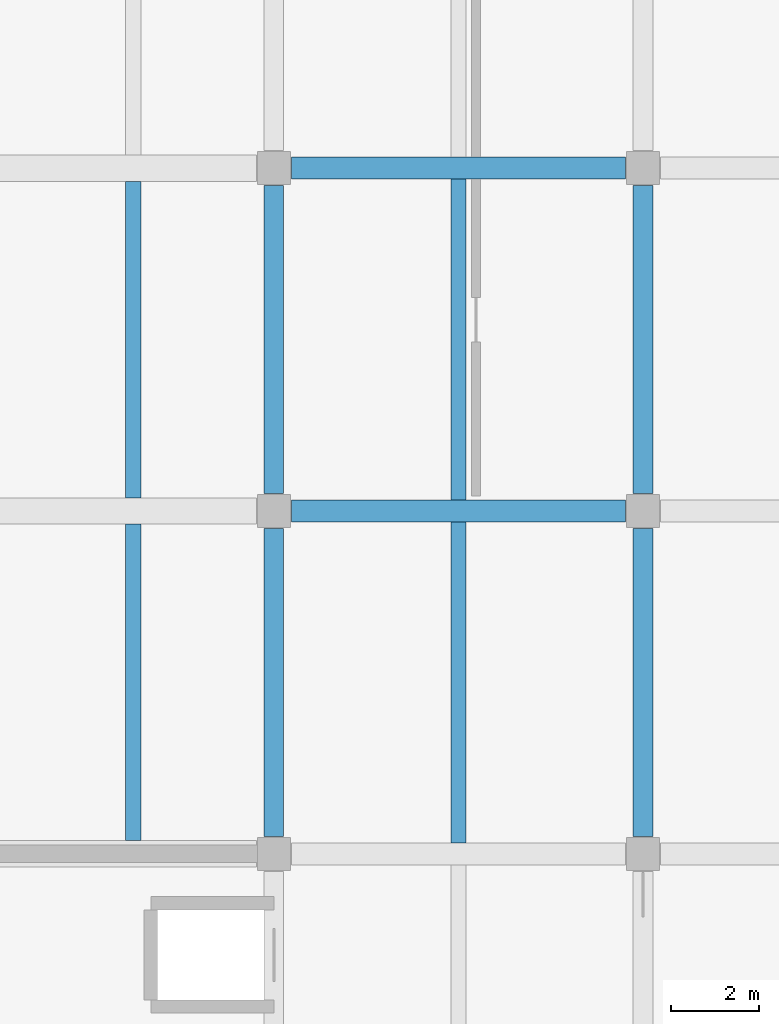
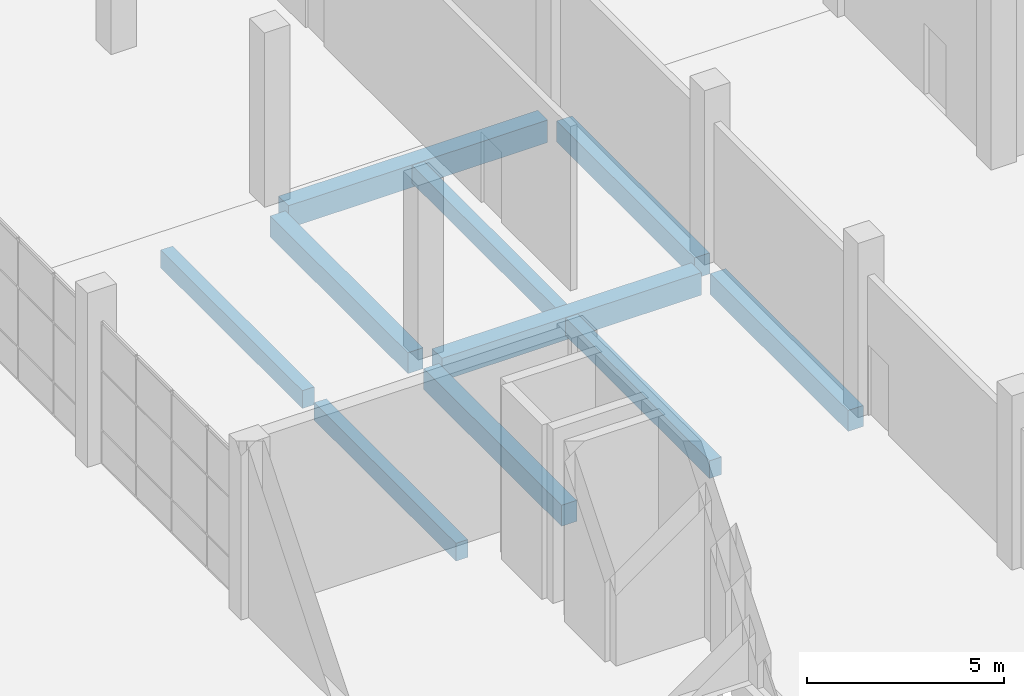
# One storey, part 39 of 78: 10 beams.
"""IFC4 building model written with IfcOpenShell, lengths in metres."""

import ifcopenshell
import ifcopenshell.guid

model = None  # the IFC model being written
_history = None  # IfcOwnerHistory: only IFC2X3 demands one
_inside = {}  # id of a spatial element -> (the spatial element, [elements in it])
_under = {}  # id of a project, library or spatial element -> (it, [spatial elements below it])
_declared = {}  # id of a project -> (the project, [libraries it declares])
_typed = {}  # id of a type object -> (the type object, [elements of that type])
_made_of = {}  # id of a material, layer set ... -> (it, [elements and type objects made of it])


def new_model(schema):
    """Start an empty IFC model of exactly this schema.

    Asked for "IFC4X3", IfcOpenShell would pick the latest addendum, in which some entities
    have other attributes; the version numbers below select the first issue.
    IFC2X3 requires an IfcOwnerHistory on every rooted entity: one is made here for all.
    """
    global model, _history
    if schema == "IFC4X3":
        model = ifcopenshell.file(schema_version=(4, 3, 0, 0))
    else:
        model = ifcopenshell.file(schema=schema)
    _inside.clear()
    _under.clear()
    _declared.clear()
    _typed.clear()
    _made_of.clear()
    _history = None
    if model.schema == "IFC2X3":
        org = make("IfcOrganization", Name="unknown")
        user = make(
            "IfcPersonAndOrganization",
            ThePerson=make("IfcPerson", FamilyName="unknown"),
            TheOrganization=org,
        )
        app = make(
            "IfcApplication",
            ApplicationDeveloper=org,
            Version="unknown",
            ApplicationFullName="unknown",
            ApplicationIdentifier="unknown",
        )
        _history = make(
            "IfcOwnerHistory",
            OwningUser=user,
            OwningApplication=app,
            ChangeAction="ADDED",
            CreationDate=0,
        )
    return model


def make(cls, **values):
    """One entity of the class cls with the attributes given. An attribute that is None is left unset."""
    return model.create_entity(
        cls, **{name: value for name, value in values.items() if value is not None}
    )


def rooted(cls, **values):
    """An entity with a GlobalId (a new one), such as an element, a storey or a relation."""
    return make(cls, GlobalId=ifcopenshell.guid.new(), OwnerHistory=_history, **values)


def si_unit(unit_type, name, prefix=None):
    """IfcSIUnit, for example si_unit("LENGTHUNIT", "METRE", prefix="MILLI")."""
    return make("IfcSIUnit", UnitType=unit_type, Prefix=prefix, Name=name)


def assignment(units):
    """IfcUnitAssignment: the units of a project."""
    return None if units is None else make("IfcUnitAssignment", Units=units)


def point(xyz):
    """IfcCartesianPoint."""
    return None if xyz is None else make("IfcCartesianPoint", Coordinates=xyz)


def direction(xyz):
    """IfcDirection."""
    return None if xyz is None else make("IfcDirection", DirectionRatios=xyz)


def frame(location, z_axis=None, x_axis=None):
    """IfcAxis2Placement3D, a coordinate frame: its origin and axes. An axis left out is left unset."""
    return make(
        "IfcAxis2Placement3D",
        Location=point(location),
        Axis=direction(z_axis),
        RefDirection=direction(x_axis),
    )


def frame_2d(location, x_axis=None):
    """IfcAxis2Placement2D, a coordinate frame in the plane: its origin and x axis."""
    return make(
        "IfcAxis2Placement2D", Location=point(location), RefDirection=direction(x_axis)
    )


def origin():
    """The frame at (0, 0, 0) with its axes left unset."""
    return frame((0.0, 0.0, 0.0))


def origin_2d():
    """The frame at (0, 0) in the plane with its x axis left unset."""
    return frame_2d((0.0, 0.0))


def place(relative_to, where):
    """IfcLocalPlacement: puts the frame where relative to a parent placement (None: the world)."""
    return make(
        "IfcLocalPlacement", PlacementRelTo=relative_to, RelativePlacement=where
    )


def context(
    kind, dimensions, precision=None, world=None, true_north=None, identifier=None
):
    """IfcGeometricRepresentationContext, for example the 3D "Model" context."""
    return make(
        "IfcGeometricRepresentationContext",
        ContextIdentifier=identifier,
        ContextType=kind,
        CoordinateSpaceDimension=dimensions,
        Precision=precision,
        WorldCoordinateSystem=world,
        TrueNorth=true_north,
    )


def subcontext(parent, identifier, kind, view, scale=None):
    """IfcGeometricRepresentationSubContext, for example "Body" below "Model"."""
    return make(
        "IfcGeometricRepresentationSubContext",
        ContextIdentifier=identifier,
        ContextType=kind,
        ParentContext=parent,
        TargetScale=scale,
        TargetView=view,
    )


def project(units=None, contexts=None):
    """IfcProject with its units and contexts."""
    return rooted(
        "IfcProject",
        Name="project",
        RepresentationContexts=contexts,
        UnitsInContext=assignment(units),
    )


def spatial(cls, under=None, at=None, **own):
    """A site, building, storey or space (cls), placed at a placement, below another one or the project."""
    s = rooted(cls, ObjectPlacement=at, **own)
    if under is not None:
        _under.setdefault(under.id(), (under, []))[1].append(s)
    return s


def profile(cls, at=None, kind="AREA", **sizes):
    """A parametric profile (cls). Its sizes go by their IFC names, for example OverallWidth=200.0."""
    return make(cls, ProfileType=kind, Position=at, **sizes)


def rectangle(**sizes):
    """IfcRectangleProfileDef."""
    return profile("IfcRectangleProfileDef", **sizes)


def extrude(swept, where, along, depth):
    """IfcExtrudedAreaSolid: the profile swept, set in the frame where, extruded along a direction by depth."""
    return make(
        "IfcExtrudedAreaSolid",
        SweptArea=swept,
        Position=where,
        ExtrudedDirection=direction(along),
        Depth=depth,
    )


def shape(context_of_items, identifier, shape_type, items):
    """IfcShapeRepresentation: the items that make up one representation, for example the "Body"."""
    return make(
        "IfcShapeRepresentation",
        ContextOfItems=context_of_items,
        RepresentationIdentifier=identifier,
        RepresentationType=shape_type,
        Items=items,
    )


def material(Name=None, Category=None):
    """IfcMaterial."""
    return make("IfcMaterial", Name=Name, Category=Category)


def material_profile(
    of_material, cross_section, Name=None, Category=None, Priority=None
):
    """IfcMaterialProfile: a cross section and its material."""
    return make(
        "IfcMaterialProfile",
        Name=Name,
        Material=of_material,
        Profile=cross_section,
        Priority=Priority,
        Category=Category,
    )


def profile_set(profiles, Name=None, composite=None):
    """IfcMaterialProfileSet."""
    return make(
        "IfcMaterialProfileSet",
        Name=Name,
        MaterialProfiles=profiles,
        CompositeProfile=composite,
    )


def made_of(thing, what):
    """Note that an element or type object is made of a material, layer set ...; save() writes the relation."""
    if what is not None:
        _made_of.setdefault(what.id(), (what, []))[1].append(thing)
    return thing


def type_object(cls, material=None, **own):
    """A type object (cls), such as IfcWallType, which elements share."""
    return made_of(rooted(cls, **own), material)


def element(
    cls,
    number,
    at=None,
    inside=None,
    cuts=None,
    type_object=None,
    material=None,
    context=None,
    identifier="Body",
    shape_type=None,
    held_by="IfcProductDefinitionShape",
    body=None,
    shapes=None,
    **own,
):
    """One element of the class cls, such as IfcWall. Its Tag is "e" and its number.

    at: its placement. inside: the storey or other place that contains it. cuts: it is an
    opening in that element (IfcRelVoidsElement). A single representation is given by context,
    identifier, shape_type and body (its items); several are given by shapes. held_by: the class
    of the entity that holds the representations. save() writes the other relations.
    """
    e = rooted(cls, Tag="e%d" % number, ObjectPlacement=at, **own)
    if body is not None:
        shapes = [shape(context, identifier, shape_type, body)]
    if shapes is not None:
        e.Representation = make(held_by, Representations=shapes)
    if inside is not None:
        _inside.setdefault(inside.id(), (inside, []))[1].append(e)
    if cuts is not None:
        rooted(
            "IfcRelVoidsElement", RelatingBuildingElement=cuts, RelatedOpeningElement=e
        )
    if type_object is not None:
        _typed.setdefault(type_object.id(), (type_object, []))[1].append(e)
    return made_of(e, material)


def aggregate(whole, parts):
    """IfcRelAggregates: a whole, such as a stair, and the parts it consists of."""
    return rooted("IfcRelAggregates", RelatingObject=whole, RelatedObjects=parts)


def save(model, path):
    """Write the relations noted so far, then the file.

    IfcRelAggregates (storeys below a building ...), IfcRelContainedInSpatialStructure (elements
    in a storey), IfcRelDefinesByType, IfcRelAssociatesMaterial and IfcRelDeclares: one each for
    every whole, place, type object, material and project.
    """
    for whole, parts in _under.values():
        aggregate(whole, parts)
    for where, things in _inside.values():
        rooted(
            "IfcRelContainedInSpatialStructure",
            RelatedElements=things,
            RelatingStructure=where,
        )
    for kind, things in _typed.values():
        rooted("IfcRelDefinesByType", RelatedObjects=things, RelatingType=kind)
    for what, things in _made_of.values():
        rooted("IfcRelAssociatesMaterial", RelatedObjects=things, RelatingMaterial=what)
    for by, libraries in _declared.values():
        rooted("IfcRelDeclares", RelatingContext=by, RelatedDefinitions=libraries)
    model.write(path)


model = new_model("IFC4")

# Units and contexts
model_context = context("Model", 3, precision=1e-05, world=origin(), true_north=direction((0.0, 1.0)))
body_context = subcontext(model_context, "Body", "Model", "MODEL_VIEW")
ifc_project = project(units=[si_unit("LENGTHUNIT", "METRE"), si_unit("AREAUNIT", "SQUARE_METRE"), si_unit("VOLUMEUNIT", "CUBIC_METRE"), si_unit("PLANEANGLEUNIT", "RADIAN"), si_unit("MASSUNIT", "GRAM", prefix="KILO")], contexts=[model_context])

# Site, building, storey
site_placement = place(None, origin())
site = spatial("IfcSite", under=ifc_project, at=site_placement, CompositionType="ELEMENT")
building_placement = place(site_placement, origin())
building = spatial("IfcBuilding", under=site, at=building_placement, Name="Pellamere Symphony Hall", CompositionType="ELEMENT")
storey_placement = place(building_placement, origin())
storey = spatial("IfcBuildingStorey", under=building, at=storey_placement, Name="L00", CompositionType="ELEMENT", Elevation=0.0)

# Beams
ifc_material_1 = material(Name="Concrete 40 MPa", Category="concrete")
ifc_material_profile_1 = material_profile(ifc_material_1, rectangle(XDim=0.5, YDim=0.699951171875, at=origin_2d()), Name="RC 500x700")
ifc_profile_set_1 = profile_set([ifc_material_profile_1], Name="Concrete 40 MPa")
beam_type_1 = type_object("IfcBeamType", Name="RC CB-07 500x700", PredefinedType="BEAM", material=ifc_profile_set_1)
for number, where, z_axis, x_axis, name in (
    (1, (148.0, 69.60009765625, -0.64990234375), (1.0, 0.0, 0.0), (0.0, 1.0, 0.0), "Girder CB-07-X0133 (L00)"),
    (2, (148.0, 77.39990234375, -0.64990234375), (1.0, 0.0, 0.0), (0.0, 1.0, 0.0), "Girder CB-07-X0146 (L00)"),
):
    element("IfcBeam", number, at=place(storey_placement, frame(where, z_axis=z_axis, x_axis=x_axis)), inside=storey, type_object=beam_type_1, Name=name, PredefinedType="BEAM", context=body_context, shape_type="SweptSolid", body=[
        extrude(rectangle(XDim=0.5, YDim=0.699951171875, at=origin_2d()), origin(), (0.0, 0.0, 1.0), 7.60009765625),
    ])
ifc_material_profile_2 = material_profile(ifc_material_1, rectangle(XDim=0.449951171875, YDim=0.64990234375, at=origin_2d()), Name="RC 450x650")
ifc_profile_set_2 = profile_set([ifc_material_profile_2], Name="Concrete 40 MPa")
beam_type_2 = type_object("IfcBeamType", Name="RC CB-08 450x650", PredefinedType="BEAM", material=ifc_profile_set_2)
for number, where, z_axis, x_axis, name in (
    (3, (147.60009765625, 62.199951171875, -0.625), (0.0, 1.0, 0.0), (-1.0, 0.0, 0.0), "Girder CB-08-Y0352 (L00)"),
    (4, (147.60009765625, 70.0, -0.625), (0.0, 1.0, 0.0), (-1.0, 0.0, 0.0), "Girder CB-08-Y0353 (L00)"),
    (5, (156.0, 62.199951171875, -0.625), (0.0, 1.0, 0.0), (-1.0, 0.0, 0.0), "Girder CB-08-Y0363 (L00)"),
    (6, (156.0, 70.0, -0.625), (0.0, 1.0, 0.0), (-1.0, 0.0, 0.0), "Girder CB-08-Y0364 (L00)"),
):
    element("IfcBeam", number, at=place(storey_placement, frame(where, z_axis=z_axis, x_axis=x_axis)), inside=storey, type_object=beam_type_2, Name=name, PredefinedType="BEAM", context=body_context, shape_type="SweptSolid", body=[
        extrude(rectangle(XDim=0.449951171875, YDim=0.64990234375, at=origin_2d()), origin(), (0.0, 0.0, 1.0), 7.0),
    ])
ifc_material_2 = material(Name="Concrete 35 MPa", Category="concrete")
ifc_material_profile_3 = material_profile(ifc_material_2, rectangle(XDim=0.35009765625, YDim=0.550048828125, at=origin_2d()), Name="RC 350x550")
ifc_profile_set_3 = profile_set([ifc_material_profile_3], Name="Concrete 35 MPa")
beam_type_3 = type_object("IfcBeamType", Name="RC CB-10 350x550", PredefinedType="BEAM", material=ifc_profile_set_3)
beam_1_placement = place(storey_placement, frame((144.39990234375, 62.10009765625, -0.590087890625), z_axis=(0.0, 1.0, 0.0), x_axis=(-1.0, 0.0, 0.0)))
element("IfcBeam", 7, at=beam_1_placement, inside=storey, type_object=beam_type_3, Name="Secondary Floor Beam CB-10-B1708 (L00)", PredefinedType="BEAM", context=body_context, shape_type="SweptSolid", body=[
    extrude(rectangle(XDim=0.35009765625, YDim=0.550048828125, at=origin_2d()), origin(), (0.0, 0.0, 1.0), 7.199951171875),
])
beam_2_placement = place(storey_placement, frame((144.39990234375, 69.89990234375, -0.590087890625), z_axis=(0.0, 1.0, 0.0), x_axis=(-1.0, 0.0, 0.0)))
element("IfcBeam", 8, at=beam_2_placement, inside=storey, type_object=beam_type_3, Name="Secondary Floor Beam CB-10-B1709 (L00)", PredefinedType="BEAM", context=body_context, shape_type="SweptSolid", body=[
    extrude(rectangle(XDim=0.35009765625, YDim=0.550048828125, at=origin_2d()), origin(), (0.0, 0.0, 1.0), 7.2001953125),
])
beam_3_placement = place(storey_placement, frame((151.800048828125, 62.050048828125, -0.590087890625), z_axis=(0.0, 1.0, 0.0), x_axis=(-1.0, 0.0, 0.0)))
element("IfcBeam", 9, at=beam_3_placement, inside=storey, type_object=beam_type_3, Name="Secondary Floor Beam CB-10-M1808 (L00)", PredefinedType="BEAM", context=body_context, shape_type="SweptSolid", body=[
    extrude(rectangle(XDim=0.35009765625, YDim=0.550048828125, at=origin_2d()), origin(), (0.0, 0.0, 1.0), 7.300048828125),
])
beam_4_placement = place(storey_placement, frame((151.800048828125, 69.85009765625, -0.590087890625), z_axis=(0.0, 1.0, 0.0), x_axis=(-1.0, 0.0, 0.0)))
element("IfcBeam", 10, at=beam_4_placement, inside=storey, type_object=beam_type_3, Name="Secondary Floor Beam CB-10-M1809 (L00)", PredefinedType="BEAM", context=body_context, shape_type="SweptSolid", body=[
    extrude(rectangle(XDim=0.35009765625, YDim=0.550048828125, at=origin_2d()), origin(), (0.0, 0.0, 1.0), 7.2998046875),
])

save(model, "model.ifc")
